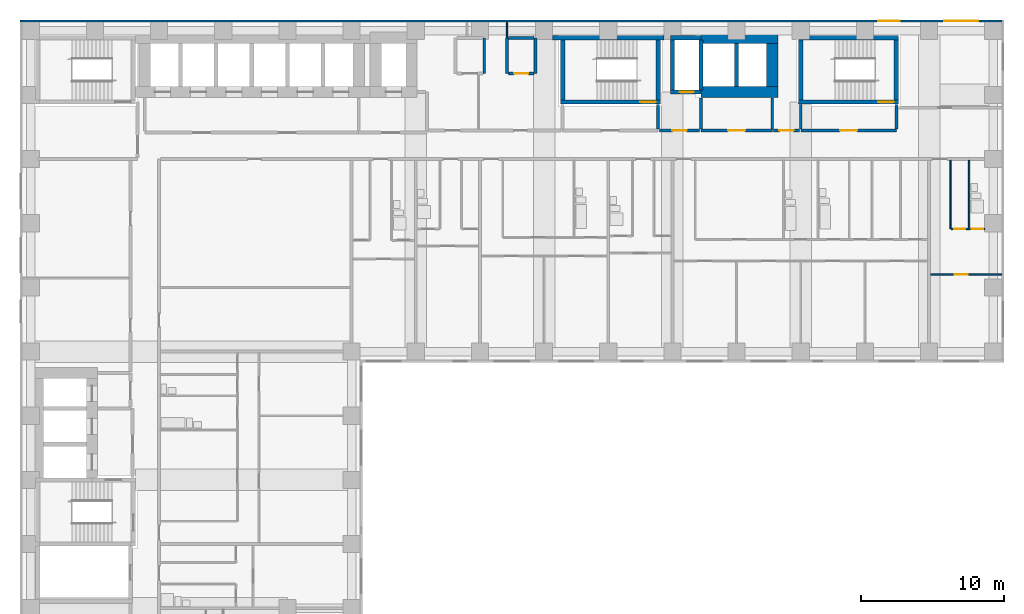
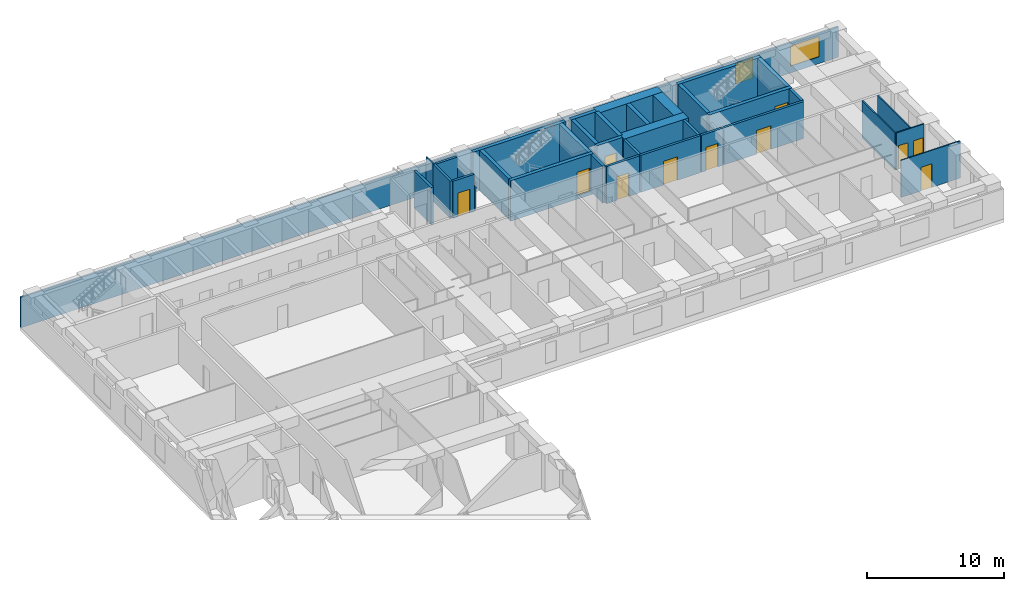
# One storey, part 8 of 12: 36 walls, 11 doors, 2 windows, 13 openings.
"""IFC4 building model written with IfcOpenShell, lengths in metres."""

from ifc_helpers import new_model, si_unit, direction, frame, frame_2d, origin, place, context, subcontext, project, spatial, rectangle, extrude, material, layer, layer_set, type_object, element, fill, save


model = new_model("IFC4")

# Units and contexts
model_context = context("Model", 3, precision=1e-05, world=origin(), true_north=direction((0.0, 1.0)))
body_context = subcontext(model_context, "Body", "Model", "MODEL_VIEW")
ifc_project = project(units=[si_unit("LENGTHUNIT", "METRE"), si_unit("AREAUNIT", "SQUARE_METRE"), si_unit("VOLUMEUNIT", "CUBIC_METRE"), si_unit("PLANEANGLEUNIT", "RADIAN"), si_unit("MASSUNIT", "GRAM", prefix="KILO")], contexts=[model_context])

# Site, building, storey
site_placement = place(None, origin())
site = spatial("IfcSite", under=ifc_project, at=site_placement, CompositionType="ELEMENT")
building_placement = place(site_placement, origin())
building = spatial("IfcBuilding", under=site, at=building_placement, Name="Firuza Court", CompositionType="ELEMENT")
storey_placement = place(building_placement, frame((0.0, 0.0, 39.800048828125)))
storey = spatial("IfcBuildingStorey", under=building, at=storey_placement, Name="L08", CompositionType="ELEMENT", Elevation=39.800048828125)

# Walls
ifc_material_1 = material(Name="Moisture-resistant gypsum board partition")
ifc_layer_1 = layer(ifc_material_1, 0.10009765625)
ifc_layer_set_1 = layer_set([ifc_layer_1], Name="Moisture-resistant gypsum board partition")
wall_type_1 = type_object("IfcWallType", Name="Bathroom partition 100", PredefinedType="PLUMBINGWALL", material=ifc_layer_set_1)
wall_1_placement = place(storey_placement, frame((65.800048828125, 44.64990234375, 0.0), z_axis=(0.0, 0.0, 1.0), x_axis=(0.0, 1.0, 0.0)))
element("IfcWall", 1, at=wall_1_placement, inside=storey, type_object=wall_type_1, Name="Bathroom partition 100 L08", PredefinedType="PLUMBINGWALL", context=body_context, shape_type="SweptSolid", body=[
    extrude(rectangle(XDim=4.75, YDim=0.10009765625, at=frame_2d((2.375, 0.0))), origin(), (0.0, 0.0, 1.0), 3.300048828125),
])
ifc_material_2 = material(Name="Concrete C60/75", Category="concrete")
ifc_layer_2 = layer(ifc_material_2, 0.300048828125)
ifc_layer_set_2 = layer_set([ifc_layer_2], Name="Concrete C60/75")
wall_type_2 = type_object("IfcWallType", Name="Core wall 300 C60/75", PredefinedType="SHEAR", material=ifc_layer_set_2)
wall_2_placement = place(storey_placement, frame((36.60009765625, 58.0, -0.300048828125), z_axis=(0.0, 0.0, 1.0), x_axis=(1.0, 0.0, 0.0)))
element("IfcWall", 2, at=wall_2_placement, inside=storey, type_object=wall_type_2, Name="Core wall stair L08", PredefinedType="SHEAR", context=body_context, shape_type="SweptSolid", body=[
    extrude(rectangle(XDim=7.7998046875, YDim=0.300048828125, at=frame_2d((3.89990234375, 0.0))), origin(), (0.0, 0.0, 1.0), 3.60009765625),
])

# Wall, opening, door
wall_3_placement = place(storey_placement, frame((37.14990234375, 53.5, -0.300048828125), z_axis=(0.0, 0.0, 1.0), x_axis=(1.0, 0.0, 0.0)))
wall_3 = element("IfcWall", 3, at=wall_3_placement, inside=storey, type_object=wall_type_2, Name="Core wall stair L08", PredefinedType="SHEAR", context=body_context, shape_type="SweptSolid", body=[
    extrude(rectangle(XDim=7.0, YDim=0.300048828125, at=frame_2d((3.5, 0.0))), origin(), (0.0, 0.0, 1.0), 3.60009765625),
])
opening_1_placement = place(wall_3_placement, frame((5.580078125, 0.0, 0.300048828125)))
opening_1 = element("IfcOpeningElement", 4, at=opening_1_placement, cuts=wall_3, Name="Opening D08013", PredefinedType="OPENING", context=body_context, shape_type="SweptSolid", body=[
    extrude(rectangle(XDim=1.10009765625, YDim=2.10009765625, at=frame_2d((0.550048828125, 1.050048828125))), frame((0.0, 0.162109375, 0.0), z_axis=(0.0, -1.0, 0.0), x_axis=(1.0, 0.0, 0.0)), (0.0, 0.0, 1.0), 0.323974609375),
])
ifc_material_3 = material(Name="Timber door leaf in hardwood frame", Category="wood")
door_type_1 = type_object("IfcDoorType", Name="Stair door 1100", OperationType="SINGLE_SWING_LEFT", PredefinedType="DOOR", material=ifc_material_3)
door_1_placement = place(opening_1_placement, origin())
door_1 = element("IfcDoor", 5, at=door_1_placement, inside=storey, type_object=door_type_1, Name="Stair door S1", OperationType="SINGLE_SWING_RIGHT", OverallHeight=2.10009765625, OverallWidth=1.10009765625, PredefinedType="DOOR", context=body_context, shape_type="SweptSolid", body=[
    extrude(rectangle(XDim=1.10009765625, YDim=2.10009765625, at=frame_2d((0.550048828125, 1.050048828125))), frame((0.0, 0.02490234375, 0.0), z_axis=(0.0, -1.0, 0.0), x_axis=(1.0, 0.0, 0.0)), (0.0, 0.0, 1.0), 0.050048828125),
])
fill(opening_1, door_1)

# Walls
for number, where, z_axis, x_axis, name in (
    (6, (37.300048828125, 53.64990234375, -0.300048828125), (0.0, 0.0, 1.0), (0.0, 1.0, 0.0), "Core wall stair L08"),
    (7, (44.0, 53.64990234375, -0.300048828125), (0.0, 0.0, 1.0), (0.0, 1.0, 0.0), "Core wall stair L08"),
):
    element("IfcWall", number, at=place(storey_placement, frame(where, z_axis=z_axis, x_axis=x_axis)), inside=storey, type_object=wall_type_2, Name=name, PredefinedType="SHEAR", context=body_context, shape_type="SweptSolid", body=[
        extrude(rectangle(XDim=4.2001953125, YDim=0.300048828125, at=frame_2d((2.10009765625, 0.0))), origin(), (0.0, 0.0, 1.0), 3.60009765625),
    ])

# Wall, opening, door
wall_4_placement = place(storey_placement, frame((44.85009765625, 54.199951171875, -0.300048828125), z_axis=(0.0, 0.0, 1.0), x_axis=(1.0, 0.0, 0.0)))
wall_4 = element("IfcWall", 8, at=wall_4_placement, inside=storey, type_object=wall_type_2, Name="Core wall riser L08", PredefinedType="SHEAR", context=body_context, shape_type="SweptSolid", body=[
    extrude(rectangle(XDim=2.14990234375, YDim=0.300048828125, at=frame_2d((1.074951171875, 0.0))), origin(), (0.0, 0.0, 1.0), 3.60009765625),
])
opening_2_placement = place(wall_4_placement, frame((0.64990234375, 0.0, 0.300048828125)))
opening_2 = element("IfcOpeningElement", 9, at=opening_2_placement, cuts=wall_4, Name="Opening D08011", PredefinedType="OPENING", context=body_context, shape_type="SweptSolid", body=[
    extrude(rectangle(XDim=1.0, YDim=2.10009765625, at=frame_2d((0.5, 1.050048828125))), frame((0.0, 0.162109375, 0.0), z_axis=(0.0, -1.0, 0.0), x_axis=(1.0, 0.0, 0.0)), (0.0, 0.0, 1.0), 0.323974609375),
])
ifc_material_4 = material(Name="Timber door leaf in hardwood frame", Category="wood")
door_type_2 = type_object("IfcDoorType", Name="Riser door 1000", OperationType="SINGLE_SWING_LEFT", PredefinedType="DOOR", material=ifc_material_4)
door_2_placement = place(opening_2_placement, origin())
door_2 = element("IfcDoor", 10, at=door_2_placement, inside=storey, type_object=door_type_2, Name="Riser door R3", OperationType="SINGLE_SWING_LEFT", OverallHeight=2.10009765625, OverallWidth=1.0, PredefinedType="DOOR", context=body_context, shape_type="SweptSolid", body=[
    extrude(rectangle(XDim=1.0, YDim=2.10009765625, at=frame_2d((0.5, 1.050048828125))), frame((0.0, 0.02490234375, 0.0), z_axis=(0.0, -1.0, 0.0), x_axis=(1.0, 0.0, 0.0)), (0.0, 0.0, 1.0), 0.050048828125),
])
fill(opening_2, door_2)

# Walls
wall_5_placement = place(storey_placement, frame((44.85009765625, 58.0, -0.300048828125), z_axis=(0.0, 0.0, 1.0), x_axis=(1.0, 0.0, 0.0)))
element("IfcWall", 11, at=wall_5_placement, inside=storey, type_object=wall_type_2, Name="Core wall riser L08", PredefinedType="SHEAR", context=body_context, shape_type="SweptSolid", body=[
    extrude(rectangle(XDim=2.14990234375, YDim=0.300048828125, at=frame_2d((1.074951171875, 0.0))), origin(), (0.0, 0.0, 1.0), 3.60009765625),
])
for number, where, z_axis, x_axis, name in (
    (12, (45.0, 54.35009765625, -0.300048828125), (0.0, 0.0, 1.0), (0.0, 1.0, 0.0), "Core wall riser L08"),
    (13, (47.0, 54.35009765625, -0.300048828125), (0.0, 0.0, 1.0), (0.0, 1.0, 0.0), "Core wall lift shaft L08"),
):
    element("IfcWall", number, at=place(storey_placement, frame(where, z_axis=z_axis, x_axis=x_axis)), inside=storey, type_object=wall_type_2, Name=name, PredefinedType="SHEAR", context=body_context, shape_type="SweptSolid", body=[
        extrude(rectangle(XDim=3.5, YDim=0.300048828125, at=frame_2d((1.75, 0.0))), origin(), (0.0, 0.0, 1.0), 3.60009765625),
    ])
wall_6_placement = place(storey_placement, frame((49.5, 54.60009765625, -0.300048828125), z_axis=(0.0, 0.0, 1.0), x_axis=(0.0, 1.0, 0.0)))
element("IfcWall", 14, at=wall_6_placement, inside=storey, type_object=wall_type_2, Name="Core wall lift shaft L08", PredefinedType="SHEAR", context=body_context, shape_type="SweptSolid", body=[
    extrude(rectangle(XDim=3.0, YDim=0.300048828125, at=frame_2d((1.5, 0.0))), origin(), (0.0, 0.0, 1.0), 3.60009765625),
])

# Wall, opening, door
wall_7_placement = place(storey_placement, frame((53.85009765625, 53.5, -0.300048828125), z_axis=(0.0, 0.0, 1.0), x_axis=(1.0, 0.0, 0.0)))
wall_7 = element("IfcWall", 15, at=wall_7_placement, inside=storey, type_object=wall_type_2, Name="Core wall stair L08", PredefinedType="SHEAR", context=body_context, shape_type="SweptSolid", body=[
    extrude(rectangle(XDim=7.0, YDim=0.300048828125, at=frame_2d((3.5, 0.0))), origin(), (0.0, 0.0, 1.0), 3.60009765625),
])
opening_3_placement = place(wall_7_placement, frame((5.580078125, 0.0, 0.300048828125)))
opening_3 = element("IfcOpeningElement", 16, at=opening_3_placement, cuts=wall_7, Name="Opening D08017", PredefinedType="OPENING", context=body_context, shape_type="SweptSolid", body=[
    extrude(rectangle(XDim=1.10009765625, YDim=2.10009765625, at=frame_2d((0.550048828125, 1.050048828125))), frame((0.0, 0.162109375, 0.0), z_axis=(0.0, -1.0, 0.0), x_axis=(1.0, 0.0, 0.0)), (0.0, 0.0, 1.0), 0.323974609375),
])
door_3_placement = place(opening_3_placement, origin())
door_3 = element("IfcDoor", 17, at=door_3_placement, inside=storey, type_object=door_type_1, Name="Stair door S4", OperationType="SINGLE_SWING_RIGHT", OverallHeight=2.10009765625, OverallWidth=1.10009765625, PredefinedType="DOOR", context=body_context, shape_type="SweptSolid", body=[
    extrude(rectangle(XDim=1.10009765625, YDim=2.10009765625, at=frame_2d((0.550048828125, 1.050048828125))), frame((0.0, 0.02490234375, 0.0), z_axis=(0.0, -1.0, 0.0), x_axis=(1.0, 0.0, 0.0)), (0.0, 0.0, 1.0), 0.050048828125),
])
fill(opening_3, door_3)

# Walls
wall_8_placement = place(storey_placement, frame((53.85009765625, 58.0, -0.300048828125), z_axis=(0.0, 0.0, 1.0), x_axis=(1.0, 0.0, 0.0)))
element("IfcWall", 18, at=wall_8_placement, inside=storey, type_object=wall_type_2, Name="Core wall stair L08", PredefinedType="SHEAR", context=body_context, shape_type="SweptSolid", body=[
    extrude(rectangle(XDim=7.0, YDim=0.300048828125, at=frame_2d((3.5, 0.0))), origin(), (0.0, 0.0, 1.0), 3.60009765625),
])
for number, where, z_axis, x_axis, name in (
    (19, (54.0, 53.64990234375, -0.300048828125), (0.0, 0.0, 1.0), (0.0, 1.0, 0.0), "Core wall stair L08"),
    (20, (60.699951171875, 53.64990234375, -0.300048828125), (0.0, 0.0, 1.0), (0.0, 1.0, 0.0), "Core wall stair L08"),
):
    element("IfcWall", number, at=place(storey_placement, frame(where, z_axis=z_axis, x_axis=x_axis)), inside=storey, type_object=wall_type_2, Name=name, PredefinedType="SHEAR", context=body_context, shape_type="SweptSolid", body=[
        extrude(rectangle(XDim=4.2001953125, YDim=0.300048828125, at=frame_2d((2.10009765625, 0.0))), origin(), (0.0, 0.0, 1.0), 3.60009765625),
    ])
ifc_layer_3 = layer(ifc_material_2, 0.800048828125)
ifc_layer_set_3 = layer_set([ifc_layer_3], Name="Concrete C60/75")
wall_type_3 = type_object("IfcWallType", Name="Core wall 800 C60/75", PredefinedType="SHEAR", material=ifc_layer_set_3)
for number, where, z_axis, x_axis, name in (
    (21, (47.0, 54.199951171875, -0.300048828125), (0.0, 0.0, 1.0), (1.0, 0.0, 0.0), "Core wall lift shaft L08"),
    (22, (47.0, 58.0, -0.300048828125), (0.0, 0.0, 1.0), (1.0, 0.0, 0.0), "Core wall lift shaft L08"),
):
    element("IfcWall", number, at=place(storey_placement, frame(where, z_axis=z_axis, x_axis=x_axis)), inside=storey, type_object=wall_type_3, Name=name, PredefinedType="SHEAR", context=body_context, shape_type="SweptSolid", body=[
        extrude(rectangle(XDim=5.39990234375, YDim=0.800048828125, at=frame_2d((2.699951171875, 0.0))), origin(), (0.0, 0.0, 1.0), 3.60009765625),
    ])
wall_9_placement = place(storey_placement, frame((52.0, 54.60009765625, -0.300048828125), z_axis=(0.0, 0.0, 1.0), x_axis=(0.0, 1.0, 0.0)))
element("IfcWall", 23, at=wall_9_placement, inside=storey, type_object=wall_type_3, Name="Core wall lift shaft L08", PredefinedType="SHEAR", context=body_context, shape_type="SweptSolid", body=[
    extrude(rectangle(XDim=3.0, YDim=0.800048828125, at=frame_2d((1.5, 0.0))), origin(), (0.0, 0.0, 1.0), 3.60009765625),
])

# Wall, opening, door
ifc_material_5 = material(Name="Blockwork, plastered both sides", Category="masonry")
ifc_layer_4 = layer(ifc_material_5, 0.199951171875)
ifc_layer_set_4 = layer_set([ifc_layer_4], Name="Blockwork, plastered both sides")
wall_type_4 = type_object("IfcWallType", Name="Corridor wall 200", PredefinedType="PARTITIONING", material=ifc_layer_set_4)
wall_10_placement = place(storey_placement, frame((44.10009765625, 51.5, 0.0), z_axis=(0.0, 0.0, 1.0), x_axis=(1.0, 0.0, 0.0)))
wall_10 = element("IfcWall", 24, at=wall_10_placement, inside=storey, type_object=wall_type_4, Name="Corridor wall 200 L08", PredefinedType="PARTITIONING", context=body_context, shape_type="SweptSolid", body=[
    extrude(rectangle(XDim=2.7998046875, YDim=0.199951171875, at=frame_2d((1.39990234375, 0.0))), origin(), (0.0, 0.0, 1.0), 3.300048828125),
])
opening_4_placement = place(wall_10_placement, frame((0.89990234375, 0.0, 0.0)))
opening_4 = element("IfcOpeningElement", 25, at=opening_4_placement, cuts=wall_10, Name="Opening D08078", PredefinedType="OPENING", context=body_context, shape_type="SweptSolid", body=[
    extrude(rectangle(XDim=1.0, YDim=2.10009765625, at=frame_2d((0.5, 1.050048828125))), frame((0.0, 0.11181640625, 0.0), z_axis=(0.0, -1.0, 0.0), x_axis=(1.0, 0.0, 0.0)), (0.0, 0.0, 1.0), 0.223876953125),
])
ifc_material_6 = material(Name="Timber door leaf in hardwood frame", Category="wood")
door_type_3 = type_object("IfcDoorType", Name="Store door 1000", OperationType="SINGLE_SWING_LEFT", PredefinedType="DOOR", material=ifc_material_6)
door_4_placement = place(opening_4_placement, origin())
door_4 = element("IfcDoor", 26, at=door_4_placement, inside=storey, type_object=door_type_3, Name="Valet store door", OperationType="SINGLE_SWING_LEFT", OverallHeight=2.10009765625, OverallWidth=1.0, PredefinedType="DOOR", context=body_context, shape_type="SweptSolid", body=[
    extrude(rectangle(XDim=1.0, YDim=2.10009765625, at=frame_2d((0.5, 1.050048828125))), frame((0.0, 0.02490234375, 0.0), z_axis=(0.0, -1.0, 0.0), x_axis=(1.0, 0.0, 0.0)), (0.0, 0.0, 1.0), 0.050048828125),
])
fill(opening_4, door_4)

wall_11_placement = place(storey_placement, frame((52.10009765625, 51.5, 0.0), z_axis=(0.0, 0.0, 1.0), x_axis=(1.0, 0.0, 0.0)))
wall_11 = element("IfcWall", 27, at=wall_11_placement, inside=storey, type_object=wall_type_4, Name="Corridor wall 200 L08", PredefinedType="PARTITIONING", context=body_context, shape_type="SweptSolid", body=[
    extrude(rectangle(XDim=1.7998046875, YDim=0.199951171875, at=frame_2d((0.89990234375, 0.0))), origin(), (0.0, 0.0, 1.0), 3.300048828125),
])
opening_5_placement = place(wall_11_placement, frame((0.39990234375, 0.0, 0.0)))
opening_5 = element("IfcOpeningElement", 28, at=opening_5_placement, cuts=wall_11, Name="Opening D08079", PredefinedType="OPENING", context=body_context, shape_type="SweptSolid", body=[
    extrude(rectangle(XDim=1.0, YDim=2.10009765625, at=frame_2d((0.5, 1.050048828125))), frame((0.0, 0.11181640625, 0.0), z_axis=(0.0, -1.0, 0.0), x_axis=(1.0, 0.0, 0.0)), (0.0, 0.0, 1.0), 0.223876953125),
])
door_5_placement = place(opening_5_placement, origin())
door_5 = element("IfcDoor", 29, at=door_5_placement, inside=storey, type_object=door_type_3, Name="Cleaner's store door", OperationType="SINGLE_SWING_LEFT", OverallHeight=2.10009765625, OverallWidth=1.0, PredefinedType="DOOR", context=body_context, shape_type="SweptSolid", body=[
    extrude(rectangle(XDim=1.0, YDim=2.10009765625, at=frame_2d((0.5, 1.050048828125))), frame((0.0, 0.02490234375, 0.0), z_axis=(0.0, -1.0, 0.0), x_axis=(1.0, 0.0, 0.0)), (0.0, 0.0, 1.0), 0.050048828125),
])
fill(opening_5, door_5)

ifc_material_7 = material(Name="Timber stud partition, plasterboard both sides", Category="wood")
ifc_layer_5 = layer(ifc_material_7, 0.10009765625)
ifc_layer_set_5 = layer_set([ifc_layer_5], Name="Timber stud partition, plasterboard both sides")
wall_type_5 = type_object("IfcWallType", Name="Partition wall 100", PredefinedType="PARTITIONING", material=ifc_layer_set_5)
wall_12_placement = place(storey_placement, frame((63.10009765625, 41.39990234375, 0.0), z_axis=(0.0, 0.0, 1.0), x_axis=(1.0, 0.0, 0.0)))
wall_12 = element("IfcWall", 30, at=wall_12_placement, inside=storey, type_object=wall_type_5, Name="Partition wall 100 L08", PredefinedType="PARTITIONING", context=body_context, shape_type="SweptSolid", body=[
    extrude(rectangle(XDim=5.0, YDim=0.10009765625, at=frame_2d((2.5, 0.0))), origin(), (0.0, 0.0, 1.0), 3.300048828125),
])
opening_6_placement = place(wall_12_placement, frame((1.699951171875, 0.0, 0.0)))
opening_6 = element("IfcOpeningElement", 31, at=opening_6_placement, cuts=wall_12, Name="Opening D08043", PredefinedType="OPENING", context=body_context, shape_type="SweptSolid", body=[
    extrude(rectangle(XDim=0.89990234375, YDim=2.10009765625, at=frame_2d((0.449951171875, 1.050048828125))), frame((0.0, 0.06201171875, 0.0), z_axis=(0.0, -1.0, 0.0), x_axis=(1.0, 0.0, 0.0)), (0.0, 0.0, 1.0), 0.1240234375),
])
ifc_material_8 = material(Name="Timber door leaf in hardwood frame", Category="wood")
door_type_4 = type_object("IfcDoorType", Name="Room door 900", OperationType="SINGLE_SWING_LEFT", PredefinedType="DOOR", material=ifc_material_8)
door_6_placement = place(opening_6_placement, frame((0.89990234375, 0.0, 0.0), z_axis=(0.0, 0.0, 1.0), x_axis=(-1.0, 0.0, 0.0)))
door_6 = element("IfcDoor", 32, at=door_6_placement, inside=storey, type_object=door_type_4, Name="Studio room door", OperationType="SINGLE_SWING_RIGHT", OverallHeight=2.10009765625, OverallWidth=0.89990234375, PredefinedType="DOOR", context=body_context, shape_type="SweptSolid", body=[
    extrude(rectangle(XDim=0.89990234375, YDim=2.10009765625, at=frame_2d((0.449951171875, 1.050048828125))), frame((0.0, 0.02490234375, 0.0), z_axis=(0.0, -1.0, 0.0), x_axis=(1.0, 0.0, 0.0)), (0.0, 0.0, 1.0), 0.050048828125),
])
fill(opening_6, door_6)

# Wall
wall_13_placement = place(storey_placement, frame((64.5, 44.60009765625, 0.0), z_axis=(0.0, 0.0, 1.0), x_axis=(0.0, 1.0, 0.0)))
element("IfcWall", 33, at=wall_13_placement, inside=storey, type_object=wall_type_5, Name="Partition wall 100 L08", PredefinedType="PARTITIONING", context=body_context, shape_type="SweptSolid", body=[
    extrude(rectangle(XDim=4.7998046875, YDim=0.10009765625, at=frame_2d((2.39990234375, 0.0))), origin(), (0.0, 0.0, 1.0), 3.300048828125),
])

# Wall, openings, doors
wall_14_placement = place(storey_placement, frame((64.550048828125, 44.60009765625, 0.0), z_axis=(0.0, 0.0, 1.0), x_axis=(1.0, 0.0, 0.0)))
wall_14 = element("IfcWall", 34, at=wall_14_placement, inside=storey, type_object=wall_type_5, Name="Partition wall 100 L08", PredefinedType="PARTITIONING", context=body_context, shape_type="SweptSolid", body=[
    extrude(rectangle(XDim=2.349853515625, YDim=0.10009765625, at=frame_2d((1.1748046875, 0.0))), origin(), (0.0, 0.0, 1.0), 3.300048828125),
])
opening_7_placement = place(wall_14_placement, frame((1.449951171875, 0.0, 0.0)))
opening_7 = element("IfcOpeningElement", 35, at=opening_7_placement, cuts=wall_14, Name="Opening D08067", PredefinedType="OPENING", context=body_context, shape_type="SweptSolid", body=[
    extrude(rectangle(XDim=0.800048828125, YDim=2.10009765625, at=frame_2d((0.39990234375, 1.050048828125))), frame((0.0, 0.06201171875, 0.0), z_axis=(0.0, -1.0, 0.0), x_axis=(1.0, 0.0, 0.0)), (0.0, 0.0, 1.0), 0.1240234375),
])
opening_8_placement = place(wall_14_placement, frame((0.199951171875, 0.0, 0.0)))
opening_8 = element("IfcOpeningElement", 36, at=opening_8_placement, cuts=wall_14, Name="Opening D08068", PredefinedType="OPENING", context=body_context, shape_type="SweptSolid", body=[
    extrude(rectangle(XDim=0.800048828125, YDim=2.10009765625, at=frame_2d((0.39990234375, 1.050048828125))), frame((0.0, 0.06201171875, 0.0), z_axis=(0.0, -1.0, 0.0), x_axis=(1.0, 0.0, 0.0)), (0.0, 0.0, 1.0), 0.1240234375),
])
ifc_material_9 = material(Name="Timber door leaf in hardwood frame", Category="wood")
door_type_5 = type_object("IfcDoorType", Name="Bathroom door 800", OperationType="SINGLE_SWING_LEFT", PredefinedType="DOOR", material=ifc_material_9)
door_7_placement = place(opening_7_placement, origin())
door_7 = element("IfcDoor", 37, at=door_7_placement, inside=storey, type_object=door_type_5, Name="Bathroom door", OperationType="SINGLE_SWING_RIGHT", OverallHeight=2.10009765625, OverallWidth=0.800048828125, PredefinedType="DOOR", context=body_context, shape_type="SweptSolid", body=[
    extrude(rectangle(XDim=0.800048828125, YDim=2.10009765625, at=frame_2d((0.39990234375, 1.050048828125))), frame((0.0, 0.02490234375, 0.0), z_axis=(0.0, -1.0, 0.0), x_axis=(1.0, 0.0, 0.0)), (0.0, 0.0, 1.0), 0.050048828125),
])
fill(opening_7, door_7)
ifc_material_10 = material(Name="Timber door leaf in hardwood frame", Category="wood")
door_type_6 = type_object("IfcDoorType", Name="Room door 800", OperationType="SINGLE_SWING_LEFT", PredefinedType="DOOR", material=ifc_material_10)
door_8_placement = place(opening_8_placement, origin())
door_8 = element("IfcDoor", 38, at=door_8_placement, inside=storey, type_object=door_type_6, Name="Kitchen door", OperationType="SINGLE_SWING_LEFT", OverallHeight=2.10009765625, OverallWidth=0.800048828125, PredefinedType="DOOR", context=body_context, shape_type="SweptSolid", body=[
    extrude(rectangle(XDim=0.800048828125, YDim=2.10009765625, at=frame_2d((0.39990234375, 1.050048828125))), frame((0.0, 0.02490234375, 0.0), z_axis=(0.0, -1.0, 0.0), x_axis=(1.0, 0.0, 0.0)), (0.0, 0.0, 1.0), 0.050048828125),
])
fill(opening_8, door_8)

# Walls
wall_15_placement = place(storey_placement, frame((33.39990234375, 58.0, 0.0), z_axis=(0.0, 0.0, 1.0), x_axis=(0.0, 1.0, 0.0)))
element("IfcWall", 39, at=wall_15_placement, inside=storey, type_object=wall_type_5, Name="Partition wall 100 L08", PredefinedType="PARTITIONING", context=body_context, shape_type="SweptSolid", body=[
    extrude(rectangle(XDim=1.10009765625, YDim=0.10009765625, at=frame_2d((0.550048828125, 0.0))), origin(), (0.0, 0.0, 1.0), 3.300048828125),
])
ifc_material_11 = material(Name="Blockwork, fire-rated", Category="masonry")
ifc_layer_6 = layer(ifc_material_11, 0.199951171875)
ifc_layer_set_6 = layer_set([ifc_layer_6], Name="Blockwork, fire-rated")
wall_type_6 = type_object("IfcWallType", Name="Plant room wall 200", PredefinedType="PARTITIONING", material=ifc_layer_set_6)
for number, where, z_axis, x_axis, name in (
    (40, (31.800048828125, 55.5, 0.0), (0.0, 0.0, 1.0), (0.0, 1.0, 0.0), "Plant room wall 200 L08"),
    (41, (33.39990234375, 55.5, 0.0), (0.0, 0.0, 1.0), (0.0, 1.0, 0.0), "Plant room wall 200 L08"),
):
    element("IfcWall", number, at=place(storey_placement, frame(where, z_axis=z_axis, x_axis=x_axis)), inside=storey, type_object=wall_type_6, Name=name, PredefinedType="PARTITIONING", context=body_context, shape_type="SweptSolid", body=[
        extrude(rectangle(XDim=2.5, YDim=0.199951171875, at=frame_2d((1.25, 0.0))), origin(), (0.0, 0.0, 1.0), 3.300048828125),
    ])

# Wall, opening, door
wall_16_placement = place(storey_placement, frame((33.5, 55.5, 0.0), z_axis=(0.0, 0.0, 1.0), x_axis=(1.0, 0.0, 0.0)))
wall_16 = element("IfcWall", 42, at=wall_16_placement, inside=storey, type_object=wall_type_6, Name="Plant room wall 200 L08", PredefinedType="PARTITIONING", context=body_context, shape_type="SweptSolid", body=[
    extrude(rectangle(XDim=1.800048828125, YDim=0.199951171875, at=frame_2d((0.89990234375, 0.0))), origin(), (0.0, 0.0, 1.0), 3.300048828125),
])
opening_9_placement = place(wall_16_placement, frame((0.39990234375, 0.0, 0.0)))
opening_9 = element("IfcOpeningElement", 43, at=opening_9_placement, cuts=wall_16, Name="Opening D08082", PredefinedType="OPENING", context=body_context, shape_type="SweptSolid", body=[
    extrude(rectangle(XDim=1.0, YDim=2.10009765625, at=frame_2d((0.5, 1.050048828125))), frame((0.0, 0.11181640625, 0.0), z_axis=(0.0, -1.0, 0.0), x_axis=(1.0, 0.0, 0.0)), (0.0, 0.0, 1.0), 0.223876953125),
])
door_9_placement = place(opening_9_placement, origin())
door_9 = element("IfcDoor", 44, at=door_9_placement, inside=storey, type_object=door_type_2, Name="Duct riser door", OperationType="SINGLE_SWING_LEFT", OverallHeight=2.10009765625, OverallWidth=1.0, PredefinedType="DOOR", context=body_context, shape_type="SweptSolid", body=[
    extrude(rectangle(XDim=1.0, YDim=2.10009765625, at=frame_2d((0.5, 1.050048828125))), frame((0.0, 0.02490234375, 0.0), z_axis=(0.0, -1.0, 0.0), x_axis=(1.0, 0.0, 0.0)), (0.0, 0.0, 1.0), 0.050048828125),
])
fill(opening_9, door_9)

# Walls
wall_17_placement = place(storey_placement, frame((35.39990234375, 55.5, 0.0), z_axis=(0.0, 0.0, 1.0), x_axis=(0.0, 1.0, 0.0)))
element("IfcWall", 45, at=wall_17_placement, inside=storey, type_object=wall_type_6, Name="Plant room wall 200 L08", PredefinedType="PARTITIONING", context=body_context, shape_type="SweptSolid", body=[
    extrude(rectangle(XDim=2.5, YDim=0.199951171875, at=frame_2d((1.25, 0.0))), origin(), (0.0, 0.0, 1.0), 2.39990234375),
])
wall_18_placement = place(storey_placement, frame((33.5, 58.0, 0.0), z_axis=(0.0, 0.0, 1.0), x_axis=(1.0, 0.0, 0.0)))
element("IfcWall", 46, at=wall_18_placement, inside=storey, type_object=wall_type_6, Name="Plant room wall 200 L08", PredefinedType="PARTITIONING", context=body_context, shape_type="SweptSolid", body=[
    extrude(rectangle(XDim=1.800048828125, YDim=0.199951171875, at=frame_2d((0.89990234375, 0.0))), origin(), (0.0, 0.0, 1.0), 3.300048828125),
])

# Wall, openings, windows
ifc_material_12 = material(Name="Ceramic tile", Category="ceramic")
ifc_layer_7 = layer(ifc_material_12, 0.02001953125)
ifc_material_13 = material(Name="Mineral wool insulation", Category="insulation")
ifc_layer_8 = layer(ifc_material_13, 0.050048828125)
ifc_material_14 = material(Name="Concrete C40/50 precast", Category="concrete")
ifc_layer_9 = layer(ifc_material_14, 0.080078125)
ifc_layer_set_7 = layer_set([ifc_layer_7, ifc_layer_8, ifc_layer_9], Name="Concrete C40/50 precast")
wall_type_7 = type_object("IfcWallType", Name="Precast cladding wall with turquoise TILE PANEL face 150", PredefinedType="STANDARD", material=ifc_layer_set_7)
wall_19_placement = place(storey_placement, frame((68.10009765625, 59.175048828125, 0.0), z_axis=(0.0, 0.0, 1.0), x_axis=(-1.0, 0.0, 0.0)))
wall_19 = element("IfcWall", 47, at=wall_19_placement, inside=storey, type_object=wall_type_7, Name="Facade wall L08 N", PredefinedType="STANDARD", context=body_context, shape_type="SweptSolid", body=[
    extrude(rectangle(XDim=68.85009765625, YDim=0.14990234375, at=frame_2d((34.425048828125, 0.0))), origin(), (0.0, 0.0, 1.0), 2.699951171875),
])
opening_10_placement = place(wall_19_placement, frame((1.64990234375, 0.0, 0.60009765625)))
opening_10 = element("IfcOpeningElement", 48, at=opening_10_placement, cuts=wall_19, Name="Opening W1", PredefinedType="OPENING", context=body_context, shape_type="SweptSolid", body=[
    extrude(rectangle(XDim=2.39990234375, YDim=1.800048828125, at=frame_2d((1.199951171875, 0.89990234375))), frame((0.0, 0.0869140625, 0.0), z_axis=(0.0, -1.0, 0.0), x_axis=(1.0, 0.0, 0.0)), (0.0, 0.0, 1.0), 0.173828125),
])
opening_11_placement = place(wall_19_placement, frame((7.17041015625, 0.0, 0.60009765625)))
opening_11 = element("IfcOpeningElement", 49, at=opening_11_placement, cuts=wall_19, Name="Opening W2", PredefinedType="OPENING", context=body_context, shape_type="SweptSolid", body=[
    extrude(rectangle(XDim=1.5, YDim=1.800048828125, at=frame_2d((0.75, 0.89990234375))), frame((0.0, 0.0869140625, 0.0), z_axis=(0.0, -1.0, 0.0), x_axis=(1.0, 0.0, 0.0)), (0.0, 0.0, 1.0), 0.173828125),
])
ifc_material_15 = material(Name="Aluminium frame, triple clear glazing", Category="aluminium")
window_type_1 = type_object("IfcWindowType", Name="Window W1 2400 x 1800", PartitioningType="SINGLE_PANEL", PredefinedType="WINDOW", material=ifc_material_15)
window_1_placement = place(opening_10_placement, origin())
window_1 = element("IfcWindow", 50, at=window_1_placement, inside=storey, type_object=window_type_1, Name="Window L08", OverallHeight=1.800048828125, OverallWidth=2.39990234375, PartitioningType="SINGLE_PANEL", PredefinedType="WINDOW", context=body_context, shape_type="SweptSolid", body=[
    extrude(rectangle(XDim=2.39990234375, YDim=1.800048828125, at=frame_2d((1.199951171875, 0.89990234375))), frame((0.0, 0.030029296875, 0.0), z_axis=(0.0, -1.0, 0.0), x_axis=(1.0, 0.0, 0.0)), (0.0, 0.0, 1.0), 0.06005859375),
])
fill(opening_10, window_1)
ifc_material_16 = material(Name="Aluminium frame, triple clear glazing", Category="aluminium")
window_type_2 = type_object("IfcWindowType", Name="Window W2 1500 x 1800", PartitioningType="SINGLE_PANEL", PredefinedType="WINDOW", material=ifc_material_16)
window_2_placement = place(opening_11_placement, origin())
window_2 = element("IfcWindow", 51, at=window_2_placement, inside=storey, type_object=window_type_2, Name="Window L08", OverallHeight=1.800048828125, OverallWidth=1.5, PartitioningType="SINGLE_PANEL", PredefinedType="WINDOW", context=body_context, shape_type="SweptSolid", body=[
    extrude(rectangle(XDim=1.5, YDim=1.800048828125, at=frame_2d((0.75, 0.89990234375))), frame((0.0, 0.030029296875, 0.0), z_axis=(0.0, -1.0, 0.0), x_axis=(1.0, 0.0, 0.0)), (0.0, 0.0, 1.0), 0.06005859375),
])
fill(opening_11, window_2)

# Wall, opening, door
ifc_layer_10 = layer(ifc_material_11, 0.199951171875)
ifc_layer_set_8 = layer_set([ifc_layer_10], Name="Blockwork, fire-rated")
wall_type_8 = type_object("IfcWallType", Name="Shaft wall 200", PredefinedType="PARTITIONING", material=ifc_layer_set_8)
wall_20_placement = place(storey_placement, frame((47.0, 51.5, 0.0), z_axis=(0.0, 0.0, 1.0), x_axis=(1.0, 0.0, 0.0)))
wall_20 = element("IfcWall", 52, at=wall_20_placement, inside=storey, type_object=wall_type_8, Name="Shaft wall 200 L08", PredefinedType="PARTITIONING", context=body_context, shape_type="SweptSolid", body=[
    extrude(rectangle(XDim=5.0, YDim=0.199951171875, at=frame_2d((2.5, 0.0))), origin(), (0.0, 0.0, 1.0), 3.300048828125),
])
opening_12_placement = place(wall_20_placement, frame((1.89990234375, 0.0, 0.0)))
opening_12 = element("IfcOpeningElement", 53, at=opening_12_placement, cuts=wall_20, Name="Opening D08009", PredefinedType="OPENING", context=body_context, shape_type="SweptSolid", body=[
    extrude(rectangle(XDim=1.199951171875, YDim=2.10009765625, at=frame_2d((0.60009765625, 1.050048828125))), frame((0.0, 0.11181640625, 0.0), z_axis=(0.0, -1.0, 0.0), x_axis=(1.0, 0.0, 0.0)), (0.0, 0.0, 1.0), 0.223876953125),
])
ifc_material_17 = material(Name="Timber door leaf in hardwood frame", Category="wood")
door_type_7 = type_object("IfcDoorType", Name="Lobby door 1200", OperationType="SINGLE_SWING_LEFT", PredefinedType="DOOR", material=ifc_material_17)
door_10_placement = place(opening_12_placement, origin())
door_10 = element("IfcDoor", 54, at=door_10_placement, inside=storey, type_object=door_type_7, Name="Lobby door", OperationType="SINGLE_SWING_LEFT", OverallHeight=2.10009765625, OverallWidth=1.199951171875, PredefinedType="DOOR", context=body_context, shape_type="SweptSolid", body=[
    extrude(rectangle(XDim=1.199951171875, YDim=2.10009765625, at=frame_2d((0.60009765625, 1.050048828125))), frame((0.0, 0.02490234375, 0.0), z_axis=(0.0, -1.0, 0.0), x_axis=(1.0, 0.0, 0.0)), (0.0, 0.0, 1.0), 0.050048828125),
])
fill(opening_12, door_10)

# Walls
for number, where, z_axis, x_axis, name in (
    (55, (52.0, 51.60009765625, 0.0), (0.0, 0.0, 1.0), (0.0, 1.0, 0.0), "Shaft wall 200 L08"),
    (56, (47.0, 51.60009765625, 0.0), (0.0, 0.0, 1.0), (0.0, 1.0, 0.0), "Shaft wall 200 L08"),
):
    element("IfcWall", number, at=place(storey_placement, frame(where, z_axis=z_axis, x_axis=x_axis)), inside=storey, type_object=wall_type_8, Name=name, PredefinedType="PARTITIONING", context=body_context, shape_type="SweptSolid", body=[
        extrude(rectangle(XDim=2.179931640625, YDim=0.199951171875, at=frame_2d((1.08984375, 0.0))), origin(), (0.0, 0.0, 1.0), 3.300048828125),
    ])
wall_21_placement = place(storey_placement, frame((44.0, 51.60009765625, 0.0), z_axis=(0.0, 0.0, 1.0), x_axis=(0.0, 1.0, 0.0)))
element("IfcWall", 57, at=wall_21_placement, inside=storey, type_object=wall_type_8, Name="Shaft wall 200 L08", PredefinedType="PARTITIONING", context=body_context, shape_type="SweptSolid", body=[
    extrude(rectangle(XDim=1.72998046875, YDim=0.199951171875, at=frame_2d((0.864990234375, 0.0))), origin(), (0.0, 0.0, 1.0), 3.300048828125),
])

# Wall, opening, door
wall_22_placement = place(storey_placement, frame((54.0, 51.5, 0.0), z_axis=(0.0, 0.0, 1.0), x_axis=(1.0, 0.0, 0.0)))
wall_22 = element("IfcWall", 58, at=wall_22_placement, inside=storey, type_object=wall_type_8, Name="Shaft wall 200 L08", PredefinedType="PARTITIONING", context=body_context, shape_type="SweptSolid", body=[
    extrude(rectangle(XDim=6.699951171875, YDim=0.199951171875, at=frame_2d((3.35009765625, 0.0))), origin(), (0.0, 0.0, 1.0), 3.300048828125),
])
opening_13_placement = place(wall_22_placement, frame((2.75, 0.0, 0.0)))
opening_13 = element("IfcOpeningElement", 59, at=opening_13_placement, cuts=wall_22, Name="Opening D08007", PredefinedType="OPENING", context=body_context, shape_type="SweptSolid", body=[
    extrude(rectangle(XDim=1.199951171875, YDim=2.10009765625, at=frame_2d((0.60009765625, 1.050048828125))), frame((0.0, 0.11181640625, 0.0), z_axis=(0.0, -1.0, 0.0), x_axis=(1.0, 0.0, 0.0)), (0.0, 0.0, 1.0), 0.223876953125),
])
door_11_placement = place(opening_13_placement, origin())
door_11 = element("IfcDoor", 60, at=door_11_placement, inside=storey, type_object=door_type_7, Name="Lobby door", OperationType="SINGLE_SWING_LEFT", OverallHeight=2.10009765625, OverallWidth=1.199951171875, PredefinedType="DOOR", context=body_context, shape_type="SweptSolid", body=[
    extrude(rectangle(XDim=1.199951171875, YDim=2.10009765625, at=frame_2d((0.60009765625, 1.050048828125))), frame((0.0, 0.02490234375, 0.0), z_axis=(0.0, -1.0, 0.0), x_axis=(1.0, 0.0, 0.0)), (0.0, 0.0, 1.0), 0.050048828125),
])
fill(opening_13, door_11)

# Walls
wall_23_placement = place(storey_placement, frame((60.699951171875, 51.60009765625, 0.0), z_axis=(0.0, 0.0, 1.0), x_axis=(0.0, 1.0, 0.0)))
element("IfcWall", 61, at=wall_23_placement, inside=storey, type_object=wall_type_8, Name="Shaft wall 200 L08", PredefinedType="PARTITIONING", context=body_context, shape_type="SweptSolid", body=[
    extrude(rectangle(XDim=1.72998046875, YDim=0.199951171875, at=frame_2d((0.864990234375, 0.0))), origin(), (0.0, 0.0, 1.0), 3.300048828125),
])
wall_24_placement = place(storey_placement, frame((54.0, 51.60009765625, 0.0), z_axis=(0.0, 0.0, 1.0), x_axis=(0.0, 1.0, 0.0)))
element("IfcWall", 62, at=wall_24_placement, inside=storey, type_object=wall_type_8, Name="Shaft wall 200 L08", PredefinedType="PARTITIONING", context=body_context, shape_type="SweptSolid", body=[
    extrude(rectangle(XDim=1.72998046875, YDim=0.199951171875, at=frame_2d((0.864990234375, 0.0))), origin(), (0.0, 0.0, 1.0), 2.599853515625),
])

save(model, "model.ifc")
